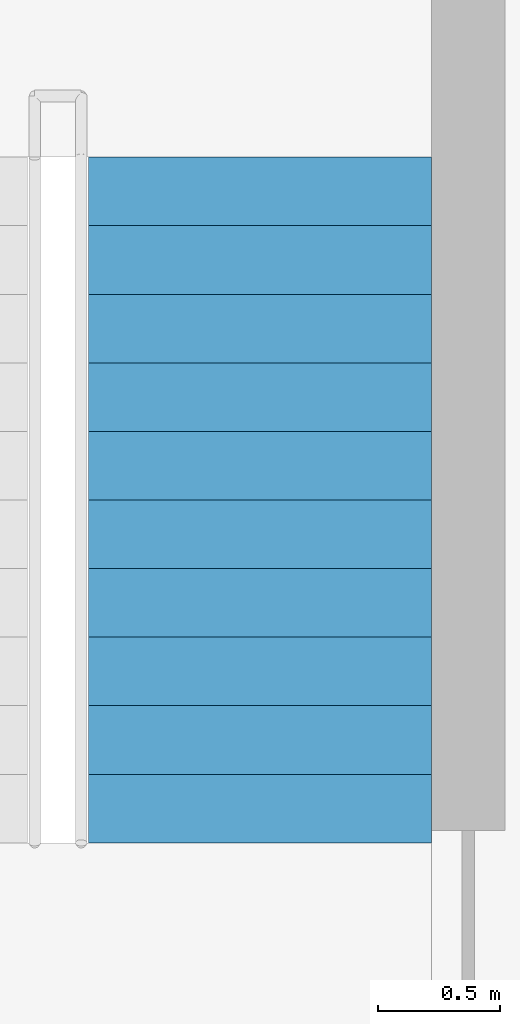
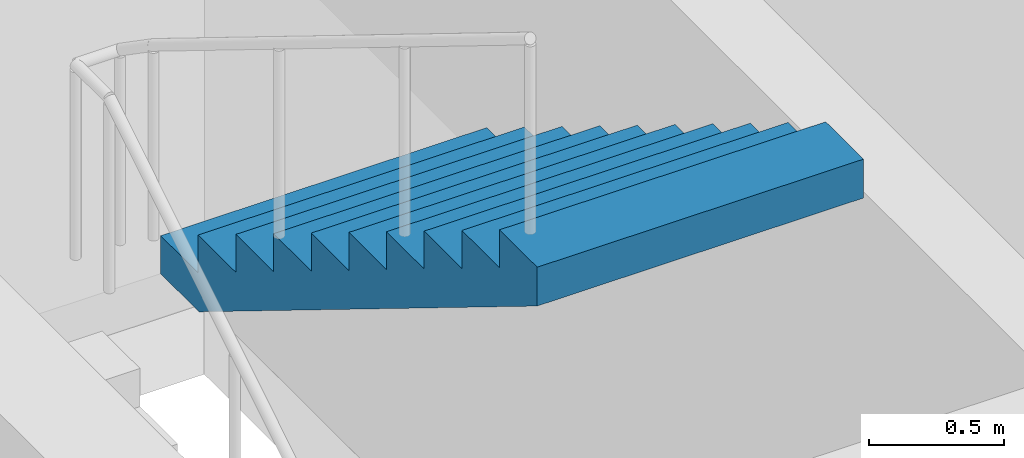
# One storey, part 13 of 15: 1 stair flight, 1 element without a shape of its own.
"""IFC4 building model written with IfcOpenShell, lengths in metres."""

from ifc_helpers import new_model, si_unit, direction, frame, origin, place, context, subcontext, project, spatial, polyline, outline, extrude, material, layer, layer_set, type_object, element, aggregate, save


model = new_model("IFC4")

# Units and contexts
model_context = context("Model", 3, precision=1e-05, world=origin(), true_north=direction((0.0, 1.0)))
body_context = subcontext(model_context, "Body", "Model", "MODEL_VIEW")
ifc_project = project(units=[si_unit("LENGTHUNIT", "METRE"), si_unit("AREAUNIT", "SQUARE_METRE"), si_unit("VOLUMEUNIT", "CUBIC_METRE"), si_unit("PLANEANGLEUNIT", "RADIAN"), si_unit("MASSUNIT", "GRAM", prefix="KILO")], contexts=[model_context])

# Site, building, storey
site_placement = place(None, origin())
site = spatial("IfcSite", under=ifc_project, at=site_placement, CompositionType="ELEMENT")
building_placement = place(site_placement, origin())
building = spatial("IfcBuilding", under=site, at=building_placement, Name="Torre Brocal", CompositionType="ELEMENT")
storey_placement = place(building_placement, frame((0.0, 0.0, 93.800048828125)))
storey = spatial("IfcBuildingStorey", under=building, at=storey_placement, Name="L21", CompositionType="ELEMENT", Elevation=93.800048828125)

# Stair, stair flight
ifc_material_1 = material(Name="Concrete C50", Category="concrete")
stair_type = type_object("IfcStairType", Name="EXIT STAIR", PredefinedType="HALF_TURN_STAIR", material=ifc_material_1)
stair_placement = place(storey_placement, origin())
stair = element("IfcStair", 1, at=stair_placement, inside=storey, type_object=stair_type, Name="EXIT STAIR ST1", PredefinedType="HALF_TURN_STAIR")
ifc_material_2 = material(Name="Concrete C50", Category="concrete")
ifc_layer = layer(ifc_material_2, 0.14990234375)
ifc_layer_set = layer_set([ifc_layer], Name="Concrete C50")
stair_flight_type = type_object("IfcStairFlightType", Name="STAIR FLIGHT", PredefinedType="STRAIGHT", material=ifc_layer_set)
stair_flight_placement = place(storey_placement, frame((90.699951171875, 80.5, 1.89990234375), z_axis=(0.0, 0.0, 1.0), x_axis=(0.0, -1.0, 0.0)))
stair_flight = element("IfcStairFlight", 2, at=stair_flight_placement, type_object=stair_flight_type, Name="ST1 flight 2", NumberOfRisers=11, NumberOfTreads=10, PredefinedType="STRAIGHT", RiserHeight=0.172727273, TreadLength=0.28, context=body_context, shape_type="SweptSolid", body=[
    extrude(outline(polyline([(0.0, 0.0), (0.0, 0.172607421875), (0.280029296875, 0.172607421875), (0.280029296875, 0.345458984375), (0.56005859375, 0.345458984375), (0.56005859375, 0.51806640625), (0.840087890625, 0.51806640625), (0.840087890625, 0.69091796875), (1.1201171875, 0.69091796875), (1.1201171875, 0.863525390625), (1.39990234375, 0.863525390625), (1.39990234375, 1.036376953125), (1.679931640625, 1.036376953125), (1.679931640625, 1.208984375), (1.9599609375, 1.208984375), (1.9599609375, 1.3818359375), (2.239990234375, 1.3818359375), (2.239990234375, 1.554443359375), (2.52001953125, 1.554443359375), (2.52001953125, 1.727294921875), (2.800048828125, 1.727294921875), (2.800048828125, 1.89990234375), (2.800048828125, 1.551025390625), (0.285400390625, 0.0), (0.0, 0.0)])), frame((0.0, 0.699951171875, 0.0), z_axis=(0.0, -1.0, 0.0), x_axis=(1.0, 0.0, 0.0)), (0.0, 0.0, 1.0), 1.39990234375),
])
aggregate(stair, [stair_flight])

save(model, "model.ifc")
